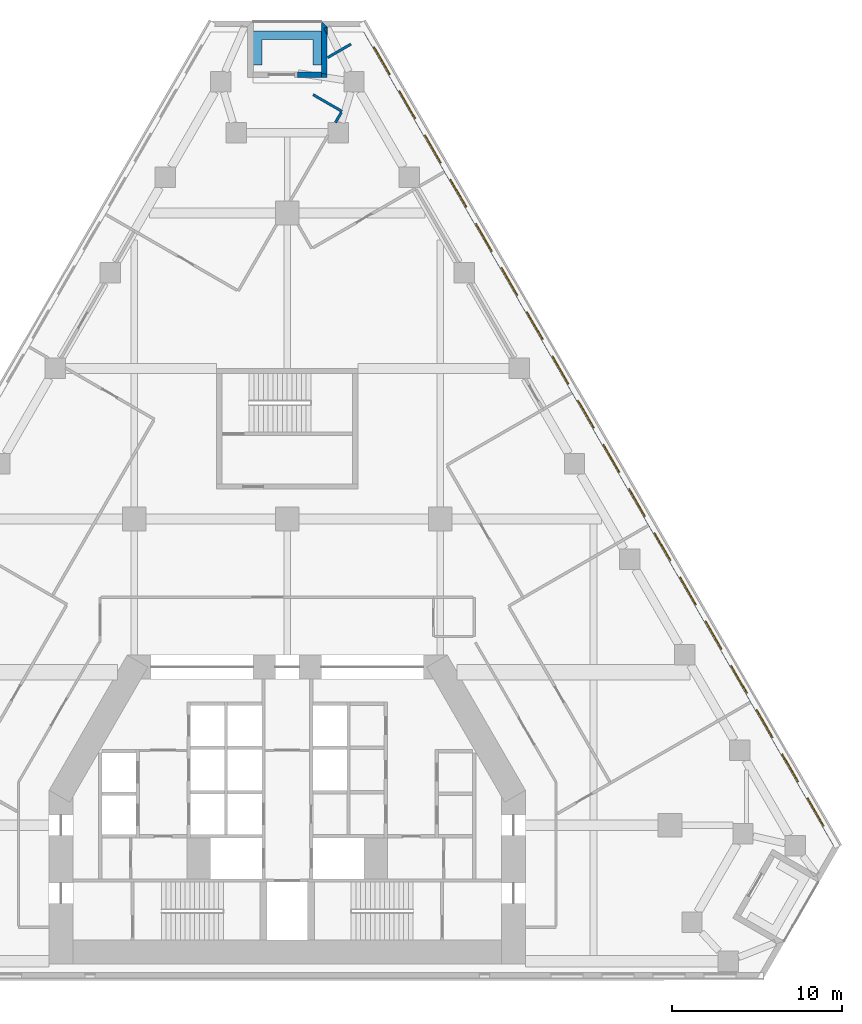
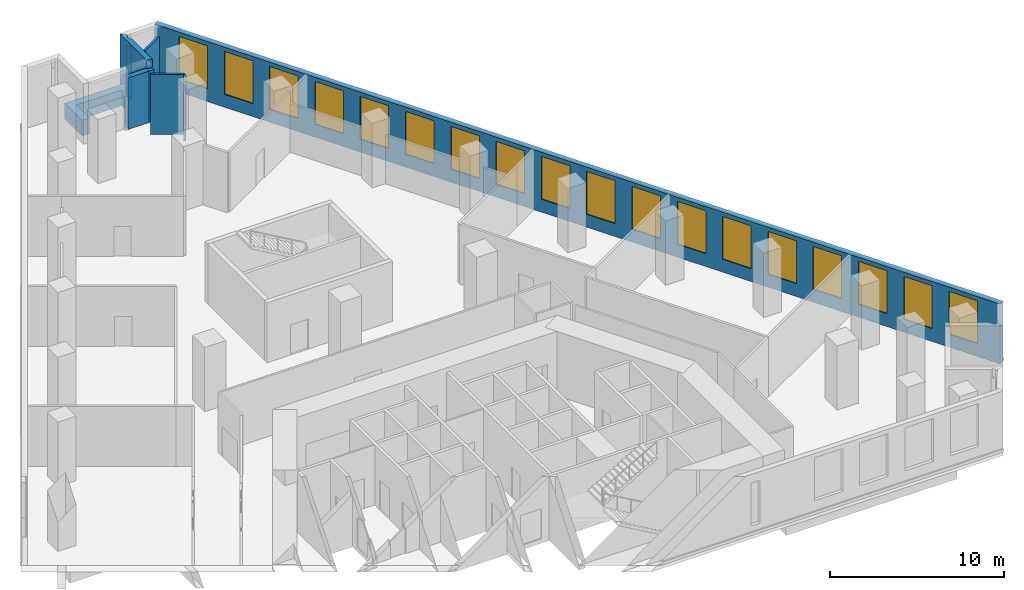
# One storey, part 11 of 14: 18 windows, 9 walls, 18 openings.
"""IFC4 building model written with IfcOpenShell, lengths in metres."""

from ifc_helpers import new_model, si_unit, direction, frame, frame_2d, origin, place, context, subcontext, project, spatial, polyline, rectangle, outline, extrude, material, layer, layer_set, type_object, element, fill, save


model = new_model("IFC4")

# Units and contexts
model_context = context("Model", 3, precision=1e-05, world=origin(), true_north=direction((0.0, 1.0)))
body_context = subcontext(model_context, "Body", "Model", "MODEL_VIEW")
ifc_project = project(units=[si_unit("LENGTHUNIT", "METRE"), si_unit("AREAUNIT", "SQUARE_METRE"), si_unit("VOLUMEUNIT", "CUBIC_METRE"), si_unit("PLANEANGLEUNIT", "RADIAN"), si_unit("MASSUNIT", "GRAM", prefix="KILO")], contexts=[model_context])

# Site, building, storey
site_placement = place(None, origin())
site = spatial("IfcSite", under=ifc_project, at=site_placement, CompositionType="ELEMENT")
building_placement = place(site_placement, origin())
building = spatial("IfcBuilding", under=site, at=building_placement, Name="Fogline Exchange Tower", CompositionType="ELEMENT")
storey_placement = place(building_placement, frame((0.0, 0.0, 34.0)))
storey = spatial("IfcBuildingStorey", under=building, at=storey_placement, Name="L06", CompositionType="ELEMENT", Elevation=34.0)

# Wall, openings, windows
ifc_material_1 = material(Name="Brick masonry", Category="masonry")
ifc_layer_1 = layer(ifc_material_1, 0.340087890625)
ifc_layer_set_1 = layer_set([ifc_layer_1], Name="FW1")
wall_type_1 = type_object("IfcWallType", Name="FW1", PredefinedType="SOLIDWALL", material=ifc_layer_set_1)
wall_1_placement = place(storey_placement, frame((32.352783203125, 7.709228515625, 0.0), z_axis=(0.0, 0.0, 1.0), x_axis=(-0.500000836325, 0.866024920931, 0.0)))
wall_1 = element("IfcWall", 1, at=wall_1_placement, inside=storey, type_object=wall_type_1, Name="Brick wall L06 E", PredefinedType="SOLIDWALL", context=body_context, shape_type="SweptSolid", body=[
    extrude(rectangle(XDim=56.0, YDim=0.340087890625, at=frame_2d((28.0, 0.0))), origin(), (0.0, 0.0, 1.0), 4.199951171875),
])
opening_1_placement = place(wall_1_placement, frame((1.5, 0.0, 0.89990234375)))
opening_1 = element("IfcOpeningElement", 2, at=opening_1_placement, cuts=wall_1, Name="Opening W2", PredefinedType="OPENING", context=body_context, shape_type="SweptSolid", body=[
    extrude(rectangle(XDim=1.885009765625, YDim=3.0, at=frame_2d((0.9423828125, 1.5))), frame((0.0, 0.18017578125, 0.0), z_axis=(0.0, -1.0, 0.0), x_axis=(1.0, 0.0, 0.0)), (0.0, 0.0, 1.0), 0.360107421875),
])
opening_2_placement = place(wall_1_placement, frame((4.5, 0.0, 0.89990234375)))
opening_2 = element("IfcOpeningElement", 3, at=opening_2_placement, cuts=wall_1, Name="Opening W2", PredefinedType="OPENING", context=body_context, shape_type="SweptSolid", body=[
    extrude(rectangle(XDim=1.885009765625, YDim=3.0, at=frame_2d((0.9423828125, 1.5))), frame((0.0, 0.18017578125, 0.0), z_axis=(0.0, -1.0, 0.0), x_axis=(1.0, 0.0, 0.0)), (0.0, 0.0, 1.0), 0.360107421875),
])
opening_3_placement = place(wall_1_placement, frame((7.5, 0.0, 0.89990234375)))
opening_3 = element("IfcOpeningElement", 4, at=opening_3_placement, cuts=wall_1, Name="Opening W2", PredefinedType="OPENING", context=body_context, shape_type="SweptSolid", body=[
    extrude(rectangle(XDim=1.885009765625, YDim=3.0, at=frame_2d((0.9423828125, 1.5))), frame((0.0, 0.18017578125, 0.0), z_axis=(0.0, -1.0, 0.0), x_axis=(1.0, 0.0, 0.0)), (0.0, 0.0, 1.0), 0.360107421875),
])
opening_4_placement = place(wall_1_placement, frame((10.5, 0.0, 0.89990234375)))
opening_4 = element("IfcOpeningElement", 5, at=opening_4_placement, cuts=wall_1, Name="Opening W2", PredefinedType="OPENING", context=body_context, shape_type="SweptSolid", body=[
    extrude(rectangle(XDim=1.885009765625, YDim=3.0, at=frame_2d((0.9423828125, 1.5))), frame((0.0, 0.18017578125, 0.0), z_axis=(0.0, -1.0, 0.0), x_axis=(1.0, 0.0, 0.0)), (0.0, 0.0, 1.0), 0.360107421875),
])
opening_5_placement = place(wall_1_placement, frame((13.5, 0.0, 0.89990234375)))
opening_5 = element("IfcOpeningElement", 6, at=opening_5_placement, cuts=wall_1, Name="Opening W2", PredefinedType="OPENING", context=body_context, shape_type="SweptSolid", body=[
    extrude(rectangle(XDim=1.885009765625, YDim=3.0, at=frame_2d((0.9423828125, 1.5))), frame((0.0, 0.18017578125, 0.0), z_axis=(0.0, -1.0, 0.0), x_axis=(1.0, 0.0, 0.0)), (0.0, 0.0, 1.0), 0.360107421875),
])
opening_6_placement = place(wall_1_placement, frame((16.5, 0.0, 0.89990234375)))
opening_6 = element("IfcOpeningElement", 7, at=opening_6_placement, cuts=wall_1, Name="Opening W2", PredefinedType="OPENING", context=body_context, shape_type="SweptSolid", body=[
    extrude(rectangle(XDim=1.885009765625, YDim=3.0, at=frame_2d((0.9423828125, 1.5))), frame((0.0, 0.18017578125, 0.0), z_axis=(0.0, -1.0, 0.0), x_axis=(1.0, 0.0, 0.0)), (0.0, 0.0, 1.0), 0.360107421875),
])
opening_7_placement = place(wall_1_placement, frame((19.5, 0.0, 0.89990234375)))
opening_7 = element("IfcOpeningElement", 8, at=opening_7_placement, cuts=wall_1, Name="Opening W2", PredefinedType="OPENING", context=body_context, shape_type="SweptSolid", body=[
    extrude(rectangle(XDim=1.885009765625, YDim=3.0, at=frame_2d((0.9423828125, 1.5))), frame((0.0, 0.18017578125, 0.0), z_axis=(0.0, -1.0, 0.0), x_axis=(1.0, 0.0, 0.0)), (0.0, 0.0, 1.0), 0.360107421875),
])
opening_8_placement = place(wall_1_placement, frame((22.5, 0.0, 0.89990234375)))
opening_8 = element("IfcOpeningElement", 9, at=opening_8_placement, cuts=wall_1, Name="Opening W2", PredefinedType="OPENING", context=body_context, shape_type="SweptSolid", body=[
    extrude(rectangle(XDim=1.885009765625, YDim=3.0, at=frame_2d((0.9423828125, 1.5))), frame((0.0, 0.18017578125, 0.0), z_axis=(0.0, -1.0, 0.0), x_axis=(1.0, 0.0, 0.0)), (0.0, 0.0, 1.0), 0.360107421875),
])
opening_9_placement = place(wall_1_placement, frame((25.5, 0.0, 0.89990234375)))
opening_9 = element("IfcOpeningElement", 10, at=opening_9_placement, cuts=wall_1, Name="Opening W2", PredefinedType="OPENING", context=body_context, shape_type="SweptSolid", body=[
    extrude(rectangle(XDim=1.885009765625, YDim=3.0, at=frame_2d((0.9423828125, 1.5))), frame((0.0, 0.18017578125, 0.0), z_axis=(0.0, -1.0, 0.0), x_axis=(1.0, 0.0, 0.0)), (0.0, 0.0, 1.0), 0.360107421875),
])
opening_10_placement = place(wall_1_placement, frame((28.5, 0.0, 0.89990234375)))
opening_10 = element("IfcOpeningElement", 11, at=opening_10_placement, cuts=wall_1, Name="Opening W2", PredefinedType="OPENING", context=body_context, shape_type="SweptSolid", body=[
    extrude(rectangle(XDim=1.885009765625, YDim=3.0, at=frame_2d((0.9423828125, 1.5))), frame((0.0, 0.18017578125, 0.0), z_axis=(0.0, -1.0, 0.0), x_axis=(1.0, 0.0, 0.0)), (0.0, 0.0, 1.0), 0.360107421875),
])
opening_11_placement = place(wall_1_placement, frame((31.5, 0.0, 0.89990234375)))
opening_11 = element("IfcOpeningElement", 12, at=opening_11_placement, cuts=wall_1, Name="Opening W2", PredefinedType="OPENING", context=body_context, shape_type="SweptSolid", body=[
    extrude(rectangle(XDim=1.885009765625, YDim=3.0, at=frame_2d((0.9423828125, 1.5))), frame((0.0, 0.18017578125, 0.0), z_axis=(0.0, -1.0, 0.0), x_axis=(1.0, 0.0, 0.0)), (0.0, 0.0, 1.0), 0.360107421875),
])
opening_12_placement = place(wall_1_placement, frame((34.5, 0.0, 0.89990234375)))
opening_12 = element("IfcOpeningElement", 13, at=opening_12_placement, cuts=wall_1, Name="Opening W2", PredefinedType="OPENING", context=body_context, shape_type="SweptSolid", body=[
    extrude(rectangle(XDim=1.885009765625, YDim=3.0, at=frame_2d((0.9423828125, 1.5))), frame((0.0, 0.18017578125, 0.0), z_axis=(0.0, -1.0, 0.0), x_axis=(1.0, 0.0, 0.0)), (0.0, 0.0, 1.0), 0.360107421875),
])
opening_13_placement = place(wall_1_placement, frame((37.5, 0.0, 0.89990234375)))
opening_13 = element("IfcOpeningElement", 14, at=opening_13_placement, cuts=wall_1, Name="Opening W2", PredefinedType="OPENING", context=body_context, shape_type="SweptSolid", body=[
    extrude(rectangle(XDim=1.885009765625, YDim=3.0, at=frame_2d((0.9423828125, 1.5))), frame((0.0, 0.18017578125, 0.0), z_axis=(0.0, -1.0, 0.0), x_axis=(1.0, 0.0, 0.0)), (0.0, 0.0, 1.0), 0.360107421875),
])
opening_14_placement = place(wall_1_placement, frame((40.5, 0.0, 0.89990234375)))
opening_14 = element("IfcOpeningElement", 15, at=opening_14_placement, cuts=wall_1, Name="Opening W2", PredefinedType="OPENING", context=body_context, shape_type="SweptSolid", body=[
    extrude(rectangle(XDim=1.885009765625, YDim=3.0, at=frame_2d((0.9423828125, 1.5))), frame((0.0, 0.18017578125, 0.0), z_axis=(0.0, -1.0, 0.0), x_axis=(1.0, 0.0, 0.0)), (0.0, 0.0, 1.0), 0.360107421875),
])
opening_15_placement = place(wall_1_placement, frame((43.5, 0.0, 0.89990234375)))
opening_15 = element("IfcOpeningElement", 16, at=opening_15_placement, cuts=wall_1, Name="Opening W2", PredefinedType="OPENING", context=body_context, shape_type="SweptSolid", body=[
    extrude(rectangle(XDim=1.885009765625, YDim=3.0, at=frame_2d((0.9423828125, 1.5))), frame((0.0, 0.18017578125, 0.0), z_axis=(0.0, -1.0, 0.0), x_axis=(1.0, 0.0, 0.0)), (0.0, 0.0, 1.0), 0.360107421875),
])
opening_16_placement = place(wall_1_placement, frame((46.5, 0.0, 0.89990234375)))
opening_16 = element("IfcOpeningElement", 17, at=opening_16_placement, cuts=wall_1, Name="Opening W2", PredefinedType="OPENING", context=body_context, shape_type="SweptSolid", body=[
    extrude(rectangle(XDim=1.885009765625, YDim=3.0, at=frame_2d((0.9423828125, 1.5))), frame((0.0, 0.18017578125, 0.0), z_axis=(0.0, -1.0, 0.0), x_axis=(1.0, 0.0, 0.0)), (0.0, 0.0, 1.0), 0.360107421875),
])
opening_17_placement = place(wall_1_placement, frame((49.5, 0.0, 0.89990234375)))
opening_17 = element("IfcOpeningElement", 18, at=opening_17_placement, cuts=wall_1, Name="Opening W2", PredefinedType="OPENING", context=body_context, shape_type="SweptSolid", body=[
    extrude(rectangle(XDim=1.885009765625, YDim=3.0, at=frame_2d((0.9423828125, 1.5))), frame((0.0, 0.18017578125, 0.0), z_axis=(0.0, -1.0, 0.0), x_axis=(1.0, 0.0, 0.0)), (0.0, 0.0, 1.0), 0.360107421875),
])
opening_18_placement = place(wall_1_placement, frame((52.5, 0.0, 0.89990234375)))
opening_18 = element("IfcOpeningElement", 19, at=opening_18_placement, cuts=wall_1, Name="Opening W2", PredefinedType="OPENING", context=body_context, shape_type="SweptSolid", body=[
    extrude(rectangle(XDim=1.885009765625, YDim=3.0, at=frame_2d((0.9423828125, 1.5))), frame((0.0, 0.18017578125, 0.0), z_axis=(0.0, -1.0, 0.0), x_axis=(1.0, 0.0, 0.0)), (0.0, 0.0, 1.0), 0.360107421875),
])
ifc_material_2 = material(Name="Aluminium and glass", Category="aluminium")
window_type = type_object("IfcWindowType", Name="W2", PartitioningType="SINGLE_PANEL", PredefinedType="WINDOW", material=ifc_material_2)
window_1_placement = place(opening_1_placement, origin())
window_1 = element("IfcWindow", 20, at=window_1_placement, inside=storey, type_object=window_type, Name="W2 W2", OverallHeight=3.0, OverallWidth=1.885009765625, PartitioningType="SINGLE_PANEL", PredefinedType="WINDOW", context=body_context, shape_type="SweptSolid", body=[
    extrude(rectangle(XDim=1.885009765625, YDim=3.0, at=frame_2d((0.9423828125, 1.5))), frame((0.0, 0.110107421875, 0.0), z_axis=(0.0, -1.0, 0.0), x_axis=(1.0, 0.0, 0.0)), (0.0, 0.0, 1.0), 0.06005859375),
])
fill(opening_1, window_1)
window_2_placement = place(opening_2_placement, origin())
window_2 = element("IfcWindow", 21, at=window_2_placement, inside=storey, type_object=window_type, Name="W2 W2", OverallHeight=3.0, OverallWidth=1.885009765625, PartitioningType="SINGLE_PANEL", PredefinedType="WINDOW", context=body_context, shape_type="SweptSolid", body=[
    extrude(rectangle(XDim=1.885009765625, YDim=3.0, at=frame_2d((0.9423828125, 1.5))), frame((0.0, 0.110107421875, 0.0), z_axis=(0.0, -1.0, 0.0), x_axis=(1.0, 0.0, 0.0)), (0.0, 0.0, 1.0), 0.06005859375),
])
fill(opening_2, window_2)
window_3_placement = place(opening_3_placement, origin())
window_3 = element("IfcWindow", 22, at=window_3_placement, inside=storey, type_object=window_type, Name="W2 W2", OverallHeight=3.0, OverallWidth=1.885009765625, PartitioningType="SINGLE_PANEL", PredefinedType="WINDOW", context=body_context, shape_type="SweptSolid", body=[
    extrude(rectangle(XDim=1.885009765625, YDim=3.0, at=frame_2d((0.9423828125, 1.5))), frame((0.0, 0.110107421875, 0.0), z_axis=(0.0, -1.0, 0.0), x_axis=(1.0, 0.0, 0.0)), (0.0, 0.0, 1.0), 0.06005859375),
])
fill(opening_3, window_3)
window_4_placement = place(opening_4_placement, origin())
window_4 = element("IfcWindow", 23, at=window_4_placement, inside=storey, type_object=window_type, Name="W2 W2", OverallHeight=3.0, OverallWidth=1.885009765625, PartitioningType="SINGLE_PANEL", PredefinedType="WINDOW", context=body_context, shape_type="SweptSolid", body=[
    extrude(rectangle(XDim=1.885009765625, YDim=3.0, at=frame_2d((0.9423828125, 1.5))), frame((0.0, 0.110107421875, 0.0), z_axis=(0.0, -1.0, 0.0), x_axis=(1.0, 0.0, 0.0)), (0.0, 0.0, 1.0), 0.06005859375),
])
fill(opening_4, window_4)
window_5_placement = place(opening_5_placement, origin())
window_5 = element("IfcWindow", 24, at=window_5_placement, inside=storey, type_object=window_type, Name="W2 W2", OverallHeight=3.0, OverallWidth=1.885009765625, PartitioningType="SINGLE_PANEL", PredefinedType="WINDOW", context=body_context, shape_type="SweptSolid", body=[
    extrude(rectangle(XDim=1.885009765625, YDim=3.0, at=frame_2d((0.9423828125, 1.5))), frame((0.0, 0.110107421875, 0.0), z_axis=(0.0, -1.0, 0.0), x_axis=(1.0, 0.0, 0.0)), (0.0, 0.0, 1.0), 0.06005859375),
])
fill(opening_5, window_5)
window_6_placement = place(opening_6_placement, origin())
window_6 = element("IfcWindow", 25, at=window_6_placement, inside=storey, type_object=window_type, Name="W2 W2", OverallHeight=3.0, OverallWidth=1.885009765625, PartitioningType="SINGLE_PANEL", PredefinedType="WINDOW", context=body_context, shape_type="SweptSolid", body=[
    extrude(rectangle(XDim=1.885009765625, YDim=3.0, at=frame_2d((0.9423828125, 1.5))), frame((0.0, 0.110107421875, 0.0), z_axis=(0.0, -1.0, 0.0), x_axis=(1.0, 0.0, 0.0)), (0.0, 0.0, 1.0), 0.06005859375),
])
fill(opening_6, window_6)
window_7_placement = place(opening_7_placement, origin())
window_7 = element("IfcWindow", 26, at=window_7_placement, inside=storey, type_object=window_type, Name="W2 W2", OverallHeight=3.0, OverallWidth=1.885009765625, PartitioningType="SINGLE_PANEL", PredefinedType="WINDOW", context=body_context, shape_type="SweptSolid", body=[
    extrude(rectangle(XDim=1.885009765625, YDim=3.0, at=frame_2d((0.9423828125, 1.5))), frame((0.0, 0.110107421875, 0.0), z_axis=(0.0, -1.0, 0.0), x_axis=(1.0, 0.0, 0.0)), (0.0, 0.0, 1.0), 0.06005859375),
])
fill(opening_7, window_7)
window_8_placement = place(opening_8_placement, origin())
window_8 = element("IfcWindow", 27, at=window_8_placement, inside=storey, type_object=window_type, Name="W2 W2", OverallHeight=3.0, OverallWidth=1.885009765625, PartitioningType="SINGLE_PANEL", PredefinedType="WINDOW", context=body_context, shape_type="SweptSolid", body=[
    extrude(rectangle(XDim=1.885009765625, YDim=3.0, at=frame_2d((0.9423828125, 1.5))), frame((0.0, 0.110107421875, 0.0), z_axis=(0.0, -1.0, 0.0), x_axis=(1.0, 0.0, 0.0)), (0.0, 0.0, 1.0), 0.06005859375),
])
fill(opening_8, window_8)
window_9_placement = place(opening_9_placement, origin())
window_9 = element("IfcWindow", 28, at=window_9_placement, inside=storey, type_object=window_type, Name="W2 W2", OverallHeight=3.0, OverallWidth=1.885009765625, PartitioningType="SINGLE_PANEL", PredefinedType="WINDOW", context=body_context, shape_type="SweptSolid", body=[
    extrude(rectangle(XDim=1.885009765625, YDim=3.0, at=frame_2d((0.9423828125, 1.5))), frame((0.0, 0.110107421875, 0.0), z_axis=(0.0, -1.0, 0.0), x_axis=(1.0, 0.0, 0.0)), (0.0, 0.0, 1.0), 0.06005859375),
])
fill(opening_9, window_9)
window_10_placement = place(opening_10_placement, origin())
window_10 = element("IfcWindow", 29, at=window_10_placement, inside=storey, type_object=window_type, Name="W2 W2", OverallHeight=3.0, OverallWidth=1.885009765625, PartitioningType="SINGLE_PANEL", PredefinedType="WINDOW", context=body_context, shape_type="SweptSolid", body=[
    extrude(rectangle(XDim=1.885009765625, YDim=3.0, at=frame_2d((0.9423828125, 1.5))), frame((0.0, 0.110107421875, 0.0), z_axis=(0.0, -1.0, 0.0), x_axis=(1.0, 0.0, 0.0)), (0.0, 0.0, 1.0), 0.06005859375),
])
fill(opening_10, window_10)
window_11_placement = place(opening_11_placement, origin())
window_11 = element("IfcWindow", 30, at=window_11_placement, inside=storey, type_object=window_type, Name="W2 W2", OverallHeight=3.0, OverallWidth=1.885009765625, PartitioningType="SINGLE_PANEL", PredefinedType="WINDOW", context=body_context, shape_type="SweptSolid", body=[
    extrude(rectangle(XDim=1.885009765625, YDim=3.0, at=frame_2d((0.9423828125, 1.5))), frame((0.0, 0.110107421875, 0.0), z_axis=(0.0, -1.0, 0.0), x_axis=(1.0, 0.0, 0.0)), (0.0, 0.0, 1.0), 0.06005859375),
])
fill(opening_11, window_11)
window_12_placement = place(opening_12_placement, origin())
window_12 = element("IfcWindow", 31, at=window_12_placement, inside=storey, type_object=window_type, Name="W2 W2", OverallHeight=3.0, OverallWidth=1.885009765625, PartitioningType="SINGLE_PANEL", PredefinedType="WINDOW", context=body_context, shape_type="SweptSolid", body=[
    extrude(rectangle(XDim=1.885009765625, YDim=3.0, at=frame_2d((0.9423828125, 1.5))), frame((0.0, 0.110107421875, 0.0), z_axis=(0.0, -1.0, 0.0), x_axis=(1.0, 0.0, 0.0)), (0.0, 0.0, 1.0), 0.06005859375),
])
fill(opening_12, window_12)
window_13_placement = place(opening_13_placement, origin())
window_13 = element("IfcWindow", 32, at=window_13_placement, inside=storey, type_object=window_type, Name="W2 W2", OverallHeight=3.0, OverallWidth=1.885009765625, PartitioningType="SINGLE_PANEL", PredefinedType="WINDOW", context=body_context, shape_type="SweptSolid", body=[
    extrude(rectangle(XDim=1.885009765625, YDim=3.0, at=frame_2d((0.9423828125, 1.5))), frame((0.0, 0.110107421875, 0.0), z_axis=(0.0, -1.0, 0.0), x_axis=(1.0, 0.0, 0.0)), (0.0, 0.0, 1.0), 0.06005859375),
])
fill(opening_13, window_13)
window_14_placement = place(opening_14_placement, origin())
window_14 = element("IfcWindow", 33, at=window_14_placement, inside=storey, type_object=window_type, Name="W2 W2", OverallHeight=3.0, OverallWidth=1.885009765625, PartitioningType="SINGLE_PANEL", PredefinedType="WINDOW", context=body_context, shape_type="SweptSolid", body=[
    extrude(rectangle(XDim=1.885009765625, YDim=3.0, at=frame_2d((0.9423828125, 1.5))), frame((0.0, 0.110107421875, 0.0), z_axis=(0.0, -1.0, 0.0), x_axis=(1.0, 0.0, 0.0)), (0.0, 0.0, 1.0), 0.06005859375),
])
fill(opening_14, window_14)
window_15_placement = place(opening_15_placement, origin())
window_15 = element("IfcWindow", 34, at=window_15_placement, inside=storey, type_object=window_type, Name="W2 W2", OverallHeight=3.0, OverallWidth=1.885009765625, PartitioningType="SINGLE_PANEL", PredefinedType="WINDOW", context=body_context, shape_type="SweptSolid", body=[
    extrude(rectangle(XDim=1.885009765625, YDim=3.0, at=frame_2d((0.9423828125, 1.5))), frame((0.0, 0.110107421875, 0.0), z_axis=(0.0, -1.0, 0.0), x_axis=(1.0, 0.0, 0.0)), (0.0, 0.0, 1.0), 0.06005859375),
])
fill(opening_15, window_15)
window_16_placement = place(opening_16_placement, origin())
window_16 = element("IfcWindow", 35, at=window_16_placement, inside=storey, type_object=window_type, Name="W2 W2", OverallHeight=3.0, OverallWidth=1.885009765625, PartitioningType="SINGLE_PANEL", PredefinedType="WINDOW", context=body_context, shape_type="SweptSolid", body=[
    extrude(rectangle(XDim=1.885009765625, YDim=3.0, at=frame_2d((0.9423828125, 1.5))), frame((0.0, 0.110107421875, 0.0), z_axis=(0.0, -1.0, 0.0), x_axis=(1.0, 0.0, 0.0)), (0.0, 0.0, 1.0), 0.06005859375),
])
fill(opening_16, window_16)
window_17_placement = place(opening_17_placement, origin())
window_17 = element("IfcWindow", 36, at=window_17_placement, inside=storey, type_object=window_type, Name="W2 W2", OverallHeight=3.0, OverallWidth=1.885009765625, PartitioningType="SINGLE_PANEL", PredefinedType="WINDOW", context=body_context, shape_type="SweptSolid", body=[
    extrude(rectangle(XDim=1.885009765625, YDim=3.0, at=frame_2d((0.9423828125, 1.5))), frame((0.0, 0.110107421875, 0.0), z_axis=(0.0, -1.0, 0.0), x_axis=(1.0, 0.0, 0.0)), (0.0, 0.0, 1.0), 0.06005859375),
])
fill(opening_17, window_17)
window_18_placement = place(opening_18_placement, origin())
window_18 = element("IfcWindow", 37, at=window_18_placement, inside=storey, type_object=window_type, Name="W2 W2", OverallHeight=3.0, OverallWidth=1.885009765625, PartitioningType="SINGLE_PANEL", PredefinedType="WINDOW", context=body_context, shape_type="SweptSolid", body=[
    extrude(rectangle(XDim=1.885009765625, YDim=3.0, at=frame_2d((0.9423828125, 1.5))), frame((0.0, 0.110107421875, 0.0), z_axis=(0.0, -1.0, 0.0), x_axis=(1.0, 0.0, 0.0)), (0.0, 0.0, 1.0), 0.06005859375),
])
fill(opening_18, window_18)

# Walls
wall_2_placement = place(storey_placement, origin())
element("IfcWall", 38, at=wall_2_placement, inside=storey, type_object=wall_type_1, Name="Brick wall L06 N-s1", PredefinedType="SOLIDWALL", context=body_context, shape_type="SweptSolid", body=[
    extrude(outline(polyline([(2.340576171875, 55.473876953125), (2.16064453125, 55.83984375), (2.340576171875, 55.928466796875), (2.340576171875, 55.473876953125)])), origin(), (0.0, 0.0, 1.0), 3.60009765625),
])
wall_3_placement = place(storey_placement, origin())
element("IfcWall", 39, at=wall_3_placement, inside=storey, type_object=wall_type_1, Name="Brick wall L06 N-s1", PredefinedType="SOLIDWALL", context=body_context, shape_type="SweptSolid", body=[
    extrude(outline(polyline([(1.99951171875, 53.209716796875), (2.340576171875, 53.1572265625), (2.340576171875, 52.951171875), (1.99951171875, 52.951171875), (1.99951171875, 53.209716796875)])), origin(), (0.0, 0.0, 1.0), 3.60009765625),
])
wall_4_placement = place(storey_placement, origin())
element("IfcWall", 40, at=wall_4_placement, inside=storey, type_object=wall_type_1, Name="Brick wall L06 N-s1", PredefinedType="SOLIDWALL", context=body_context, shape_type="SweptSolid", body=[
    extrude(outline(polyline([(1.99951171875, 56.292724609375), (1.999755859375, 56.292724609375), (2.340576171875, 55.951904296875), (2.340576171875, 55.928466796875), (2.16064453125, 55.83984375), (2.340576171875, 55.473876953125), (2.340576171875, 53.1572265625), (1.99951171875, 53.209716796875), (1.99951171875, 56.292724609375)])), origin(), (0.0, 0.0, 1.0), 4.199951171875),
])
wall_5_placement = place(storey_placement, frame((2.0, 53.12158203125, 0.0), z_axis=(0.0, 0.0, 1.0), x_axis=(-1.0, 0.0, 0.0)))
element("IfcWall", 41, at=wall_5_placement, inside=storey, type_object=wall_type_1, Name="Brick wall L06 N-bk", PredefinedType="SOLIDWALL", context=body_context, shape_type="SweptSolid", body=[
    extrude(rectangle(XDim=1.38671875, YDim=0.340087890625, at=frame_2d((0.693359375, 0.0))), origin(), (0.0, 0.0, 1.0), 3.60009765625),
])
ifc_material_3 = material(Name="Concrete C30", Category="concrete")
ifc_layer_2 = layer(ifc_material_3, 0.199951171875)
ifc_layer_set_2 = layer_set([ifc_layer_2], Name="PL1")
wall_type_2 = type_object("IfcWallType", Name="PL1", PredefinedType="USERDEFINED", material=ifc_layer_set_2)
wall_6_placement = place(storey_placement, origin())
element("IfcWall", 42, at=wall_6_placement, inside=storey, type_object=wall_type_2, Name="PLANTER balcony L06 N", ObjectType="PLANTER", PredefinedType="USERDEFINED", context=body_context, shape_type="SweptSolid", body=[
    extrude(outline(polyline([(-1.5, 55.691650390625), (-2.0, 55.691650390625), (-2.0, 55.191650390625), (-2.0, 53.691650390625), (-1.5, 53.691650390625), (-1.5, 55.191650390625), (1.5, 55.191650390625), (1.5, 53.691650390625), (2.0, 53.691650390625), (2.0, 55.191650390625), (2.0, 55.691650390625), (1.5, 55.691650390625), (-1.5, 55.691650390625)])), origin(), (0.0, 0.0, 1.0), 1.10009765625),
])
ifc_material_4 = material(Name="Plasterboard demising partition with mineral wool and acoustic board")
ifc_layer_3 = layer(ifc_material_4, 0.14990234375)
ifc_layer_set_3 = layer_set([ifc_layer_3], Name="PW3")
wall_type_3 = type_object("IfcWallType", Name="PW3", PredefinedType="PARTITIONING", material=ifc_layer_set_3)
wall_7_placement = place(storey_placement, frame((3.743408203125, 54.92236328125, 0.0), z_axis=(0.0, 0.0, 1.0), x_axis=(-0.866052668871, -0.499952772512, 0.0)))
element("IfcWall", 43, at=wall_7_placement, inside=storey, type_object=wall_type_3, Name="wall-L06-W018", PredefinedType="PARTITIONING", context=body_context, shape_type="SweptSolid", body=[
    extrude(rectangle(XDim=1.590576171875, YDim=0.14990234375, at=frame_2d((0.79541015625, 0.0))), origin(), (0.0, 0.0, 1.0), 4.199951171875),
])
wall_8_placement = place(storey_placement, frame((2.83251953125, 50.311767578125, 0.0), z_axis=(0.0, 0.0, 1.0), x_axis=(0.5001118933, 0.865960792519, 0.0)))
element("IfcWall", 44, at=wall_8_placement, inside=storey, type_object=wall_type_3, Name="wall-L06-W025", PredefinedType="PARTITIONING", context=body_context, shape_type="SweptSolid", body=[
    extrude(rectangle(XDim=0.687255859375, YDim=0.14990234375, at=frame_2d((0.34375, 0.0))), origin(), (0.0, 0.0, 1.0), 4.199951171875),
])
wall_9_placement = place(storey_placement, frame((3.213623046875, 50.97216796875, 0.0), z_axis=(0.0, 0.0, 1.0), x_axis=(-0.866004557827, 0.500036104519, 0.0)))
element("IfcWall", 45, at=wall_9_placement, inside=storey, type_object=wall_type_3, Name="wall-L06-W026", PredefinedType="PARTITIONING", context=body_context, shape_type="SweptSolid", body=[
    extrude(rectangle(XDim=1.953857421875, YDim=0.14990234375, at=frame_2d((0.97705078125, 0.0))), origin(), (0.0, 0.0, 1.0), 4.199951171875),
])

save(model, "model.ifc")
